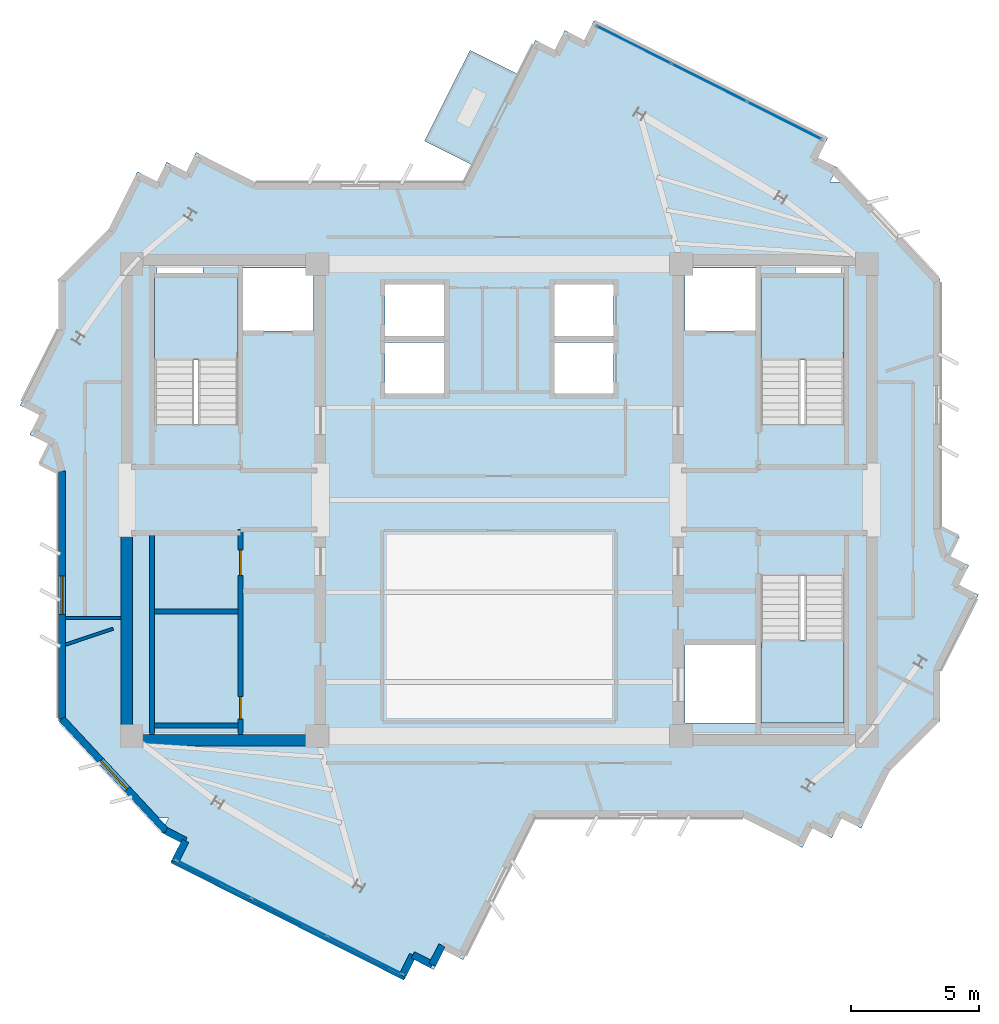
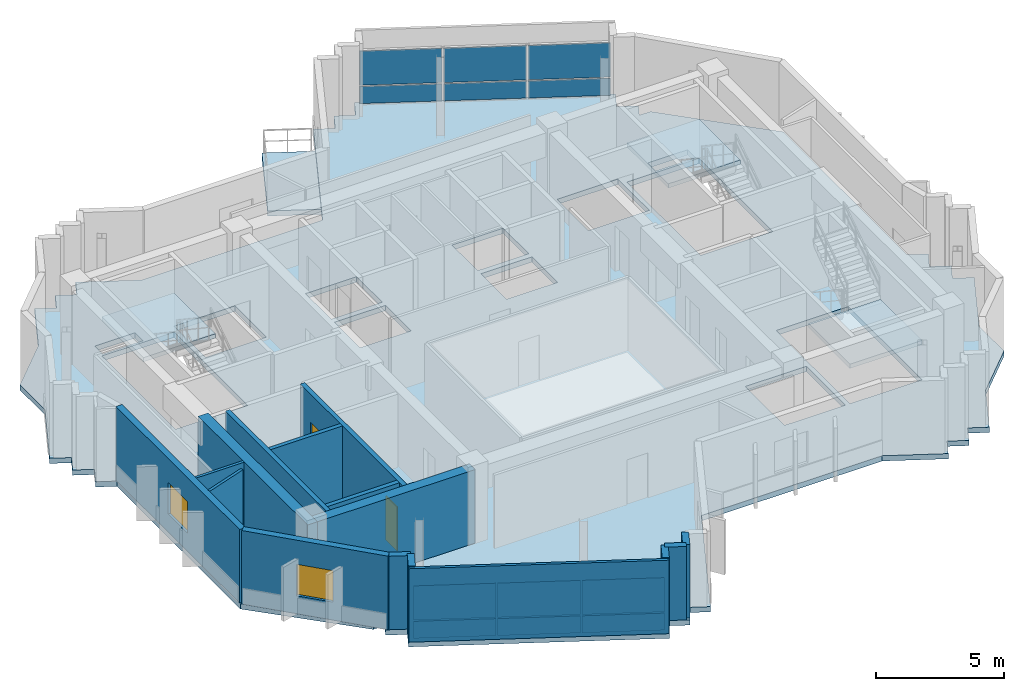
# One storey, part 5 of 11: 16 walls, 12 plates, 5 slabs, 2 doors, 2 windows, 4 openings, 5 elements without a shape of their own.
"""IFC4 building model written with IfcOpenShell, lengths in metres."""

import ifcopenshell
import ifcopenshell.guid

model = None  # the IFC model being written
_history = None  # IfcOwnerHistory: only IFC2X3 demands one
_inside = {}  # id of a spatial element -> (the spatial element, [elements in it])
_under = {}  # id of a project, library or spatial element -> (it, [spatial elements below it])
_declared = {}  # id of a project -> (the project, [libraries it declares])
_typed = {}  # id of a type object -> (the type object, [elements of that type])
_made_of = {}  # id of a material, layer set ... -> (it, [elements and type objects made of it])


def new_model(schema):
    """Start an empty IFC model of exactly this schema.

    Asked for "IFC4X3", IfcOpenShell would pick the latest addendum, in which some entities
    have other attributes; the version numbers below select the first issue.
    IFC2X3 requires an IfcOwnerHistory on every rooted entity: one is made here for all.
    """
    global model, _history
    if schema == "IFC4X3":
        model = ifcopenshell.file(schema_version=(4, 3, 0, 0))
    else:
        model = ifcopenshell.file(schema=schema)
    _inside.clear()
    _under.clear()
    _declared.clear()
    _typed.clear()
    _made_of.clear()
    _history = None
    if model.schema == "IFC2X3":
        org = make("IfcOrganization", Name="unknown")
        user = make(
            "IfcPersonAndOrganization",
            ThePerson=make("IfcPerson", FamilyName="unknown"),
            TheOrganization=org,
        )
        app = make(
            "IfcApplication",
            ApplicationDeveloper=org,
            Version="unknown",
            ApplicationFullName="unknown",
            ApplicationIdentifier="unknown",
        )
        _history = make(
            "IfcOwnerHistory",
            OwningUser=user,
            OwningApplication=app,
            ChangeAction="ADDED",
            CreationDate=0,
        )
    return model


def make(cls, **values):
    """One entity of the class cls with the attributes given. An attribute that is None is left unset."""
    return model.create_entity(
        cls, **{name: value for name, value in values.items() if value is not None}
    )


def rooted(cls, **values):
    """An entity with a GlobalId (a new one), such as an element, a storey or a relation."""
    return make(cls, GlobalId=ifcopenshell.guid.new(), OwnerHistory=_history, **values)


def si_unit(unit_type, name, prefix=None):
    """IfcSIUnit, for example si_unit("LENGTHUNIT", "METRE", prefix="MILLI")."""
    return make("IfcSIUnit", UnitType=unit_type, Prefix=prefix, Name=name)


def assignment(units):
    """IfcUnitAssignment: the units of a project."""
    return None if units is None else make("IfcUnitAssignment", Units=units)


def point(xyz):
    """IfcCartesianPoint."""
    return None if xyz is None else make("IfcCartesianPoint", Coordinates=xyz)


def direction(xyz):
    """IfcDirection."""
    return None if xyz is None else make("IfcDirection", DirectionRatios=xyz)


def frame(location, z_axis=None, x_axis=None):
    """IfcAxis2Placement3D, a coordinate frame: its origin and axes. An axis left out is left unset."""
    return make(
        "IfcAxis2Placement3D",
        Location=point(location),
        Axis=direction(z_axis),
        RefDirection=direction(x_axis),
    )


def frame_2d(location, x_axis=None):
    """IfcAxis2Placement2D, a coordinate frame in the plane: its origin and x axis."""
    return make(
        "IfcAxis2Placement2D", Location=point(location), RefDirection=direction(x_axis)
    )


def origin():
    """The frame at (0, 0, 0) with its axes left unset."""
    return frame((0.0, 0.0, 0.0))


def origin_2d():
    """The frame at (0, 0) in the plane with its x axis left unset."""
    return frame_2d((0.0, 0.0))


def place(relative_to, where):
    """IfcLocalPlacement: puts the frame where relative to a parent placement (None: the world)."""
    return make(
        "IfcLocalPlacement", PlacementRelTo=relative_to, RelativePlacement=where
    )


def context(
    kind, dimensions, precision=None, world=None, true_north=None, identifier=None
):
    """IfcGeometricRepresentationContext, for example the 3D "Model" context."""
    return make(
        "IfcGeometricRepresentationContext",
        ContextIdentifier=identifier,
        ContextType=kind,
        CoordinateSpaceDimension=dimensions,
        Precision=precision,
        WorldCoordinateSystem=world,
        TrueNorth=true_north,
    )


def subcontext(parent, identifier, kind, view, scale=None):
    """IfcGeometricRepresentationSubContext, for example "Body" below "Model"."""
    return make(
        "IfcGeometricRepresentationSubContext",
        ContextIdentifier=identifier,
        ContextType=kind,
        ParentContext=parent,
        TargetScale=scale,
        TargetView=view,
    )


def project(units=None, contexts=None):
    """IfcProject with its units and contexts."""
    return rooted(
        "IfcProject",
        Name="project",
        RepresentationContexts=contexts,
        UnitsInContext=assignment(units),
    )


def spatial(cls, under=None, at=None, **own):
    """A site, building, storey or space (cls), placed at a placement, below another one or the project."""
    s = rooted(cls, ObjectPlacement=at, **own)
    if under is not None:
        _under.setdefault(under.id(), (under, []))[1].append(s)
    return s


def polyline(points):
    """IfcPolyline through the points."""
    return make("IfcPolyline", Points=[point(p) for p in points])


def profile(cls, at=None, kind="AREA", **sizes):
    """A parametric profile (cls). Its sizes go by their IFC names, for example OverallWidth=200.0."""
    return make(cls, ProfileType=kind, Position=at, **sizes)


def rectangle(**sizes):
    """IfcRectangleProfileDef."""
    return profile("IfcRectangleProfileDef", **sizes)


def outline(outer, holes=None, kind="AREA"):
    """IfcArbitraryClosedProfileDef: a profile drawn as a closed curve; with holes, ...WithVoids."""
    if holes is None:
        return make("IfcArbitraryClosedProfileDef", ProfileType=kind, OuterCurve=outer)
    return make(
        "IfcArbitraryProfileDefWithVoids",
        ProfileType=kind,
        OuterCurve=outer,
        InnerCurves=holes,
    )


def extrude(swept, where, along, depth):
    """IfcExtrudedAreaSolid: the profile swept, set in the frame where, extruded along a direction by depth."""
    return make(
        "IfcExtrudedAreaSolid",
        SweptArea=swept,
        Position=where,
        ExtrudedDirection=direction(along),
        Depth=depth,
    )


def shape(context_of_items, identifier, shape_type, items):
    """IfcShapeRepresentation: the items that make up one representation, for example the "Body"."""
    return make(
        "IfcShapeRepresentation",
        ContextOfItems=context_of_items,
        RepresentationIdentifier=identifier,
        RepresentationType=shape_type,
        Items=items,
    )


def source(mapping_origin, context_of_items, identifier, shape_type, items):
    """IfcRepresentationMap: a shape defined once, which mapped items show again and again."""
    return make(
        "IfcRepresentationMap",
        MappingOrigin=mapping_origin,
        MappedRepresentation=shape(context_of_items, identifier, shape_type, items),
    )


def transform(
    local_origin,
    x_axis=None,
    y_axis=None,
    z_axis=None,
    scale=None,
    scale2=None,
    scale3=None,
    uniform=True,
):
    """IfcCartesianTransformationOperator3D, or its non-uniform kind. x_axis, y_axis, z_axis: its Axis1, 2, 3."""
    if uniform:
        return make(
            "IfcCartesianTransformationOperator3D",
            Axis1=direction(x_axis),
            Axis2=direction(y_axis),
            LocalOrigin=point(local_origin),
            Scale=scale,
            Axis3=direction(z_axis),
        )
    return make(
        "IfcCartesianTransformationOperator3DnonUniform",
        Axis1=direction(x_axis),
        Axis2=direction(y_axis),
        LocalOrigin=point(local_origin),
        Scale=scale,
        Axis3=direction(z_axis),
        Scale2=scale2,
        Scale3=scale3,
    )


def mapped(mapping_source, mapping_target):
    """IfcMappedItem: shows the shape of a source again, moved by a transform."""
    return make(
        "IfcMappedItem", MappingSource=mapping_source, MappingTarget=mapping_target
    )


def material(Name=None, Category=None):
    """IfcMaterial."""
    return make("IfcMaterial", Name=Name, Category=Category)


def layer(
    of_material, thickness, ventilated=None, Name=None, Category=None, Priority=None
):
    """IfcMaterialLayer: one layer of a wall or slab, of a material (None: an air gap)."""
    return make(
        "IfcMaterialLayer",
        Material=of_material,
        LayerThickness=thickness,
        IsVentilated=ventilated,
        Name=Name,
        Category=Category,
        Priority=Priority,
    )


def layer_set(layers, Name=None):
    """IfcMaterialLayerSet."""
    return make("IfcMaterialLayerSet", MaterialLayers=layers, LayerSetName=Name)


def made_of(thing, what):
    """Note that an element or type object is made of a material, layer set ...; save() writes the relation."""
    if what is not None:
        _made_of.setdefault(what.id(), (what, []))[1].append(thing)
    return thing


def type_object(cls, material=None, **own):
    """A type object (cls), such as IfcWallType, which elements share."""
    return made_of(rooted(cls, **own), material)


def element(
    cls,
    number,
    at=None,
    inside=None,
    cuts=None,
    type_object=None,
    material=None,
    context=None,
    identifier="Body",
    shape_type=None,
    held_by="IfcProductDefinitionShape",
    body=None,
    shapes=None,
    **own,
):
    """One element of the class cls, such as IfcWall. Its Tag is "e" and its number.

    at: its placement. inside: the storey or other place that contains it. cuts: it is an
    opening in that element (IfcRelVoidsElement). A single representation is given by context,
    identifier, shape_type and body (its items); several are given by shapes. held_by: the class
    of the entity that holds the representations. save() writes the other relations.
    """
    e = rooted(cls, Tag="e%d" % number, ObjectPlacement=at, **own)
    if body is not None:
        shapes = [shape(context, identifier, shape_type, body)]
    if shapes is not None:
        e.Representation = make(held_by, Representations=shapes)
    if inside is not None:
        _inside.setdefault(inside.id(), (inside, []))[1].append(e)
    if cuts is not None:
        rooted(
            "IfcRelVoidsElement", RelatingBuildingElement=cuts, RelatedOpeningElement=e
        )
    if type_object is not None:
        _typed.setdefault(type_object.id(), (type_object, []))[1].append(e)
    return made_of(e, material)


def fill(opening, filler):
    """IfcRelFillsElement: the door or window that sits in an opening."""
    return rooted(
        "IfcRelFillsElement",
        RelatingOpeningElement=opening,
        RelatedBuildingElement=filler,
    )


def aggregate(whole, parts):
    """IfcRelAggregates: a whole, such as a stair, and the parts it consists of."""
    return rooted("IfcRelAggregates", RelatingObject=whole, RelatedObjects=parts)


def save(model, path):
    """Write the relations noted so far, then the file.

    IfcRelAggregates (storeys below a building ...), IfcRelContainedInSpatialStructure (elements
    in a storey), IfcRelDefinesByType, IfcRelAssociatesMaterial and IfcRelDeclares: one each for
    every whole, place, type object, material and project.
    """
    for whole, parts in _under.values():
        aggregate(whole, parts)
    for where, things in _inside.values():
        rooted(
            "IfcRelContainedInSpatialStructure",
            RelatedElements=things,
            RelatingStructure=where,
        )
    for kind, things in _typed.values():
        rooted("IfcRelDefinesByType", RelatedObjects=things, RelatingType=kind)
    for what, things in _made_of.values():
        rooted("IfcRelAssociatesMaterial", RelatedObjects=things, RelatingMaterial=what)
    for by, libraries in _declared.values():
        rooted("IfcRelDeclares", RelatingContext=by, RelatedDefinitions=libraries)
    model.write(path)


model = new_model("IFC4")

# Units and contexts
model_context = context("Model", 3, precision=1e-05, world=origin(), true_north=direction((0.0, 1.0)))
body_context = subcontext(model_context, "Body", "Model", "MODEL_VIEW")
ifc_project = project(units=[si_unit("LENGTHUNIT", "METRE"), si_unit("AREAUNIT", "SQUARE_METRE"), si_unit("VOLUMEUNIT", "CUBIC_METRE"), si_unit("PLANEANGLEUNIT", "RADIAN"), si_unit("MASSUNIT", "GRAM", prefix="KILO")], contexts=[model_context])

# Site, building, storey
site_placement = place(None, origin())
site = spatial("IfcSite", under=ifc_project, at=site_placement, CompositionType="ELEMENT")
building_placement = place(site_placement, origin())
building = spatial("IfcBuilding", under=site, at=building_placement, Name="Zahravan Cultural Tower", CompositionType="ELEMENT")
storey_placement = place(building_placement, frame((0.0, 0.0, 353.550048828125)))
storey = spatial("IfcBuildingStorey", under=building, at=storey_placement, Name="L86", CompositionType="ELEMENT", Elevation=353.550048828125)

# Stair, slab
ifc_material_1 = material(Name="Concrete C45/55", Category="concrete")
stair_type = type_object("IfcStairType", Name="STR-DL-1550-375", PredefinedType="HALF_TURN_STAIR", material=ifc_material_1)
stair_1_placement = place(storey_placement, origin())
stair_1 = element("IfcStair", 1, at=stair_1_placement, inside=storey, type_object=stair_type, Name="L86 West Core North Exit Stair ST-W1", PredefinedType="HALF_TURN_STAIR")
ifc_layer_1 = layer(ifc_material_1, 0.199951171875)
ifc_layer_set_1 = layer_set([ifc_layer_1], Name="Concrete C45/55")
slab_type_1 = type_object("IfcSlabType", Name="SL-STAIR-LND200", PredefinedType="LANDING", material=ifc_layer_set_1)
slab_1_placement = place(storey_placement, frame((0.0, 0.0, 1.675048828125)))
slab_1 = element("IfcSlab", 2, at=slab_1_placement, type_object=slab_type_1, Name="ST-W1 landing 1", PredefinedType="LANDING", context=body_context, shape_type="SweptSolid", body=[
    extrude(outline(polyline([(25.800048828125, 32.469970703125), (25.800048828125, 35.699951171875), (22.550048828125, 35.699951171875), (22.550048828125, 32.469970703125), (25.800048828125, 32.469970703125)])), origin(), (0.0, 0.0, 1.0), 0.199951171875),
])
aggregate(stair_1, [slab_1])

stair_2_placement = place(storey_placement, origin())
stair_2 = element("IfcStair", 3, at=stair_2_placement, inside=storey, type_object=stair_type, Name="L86 East Core North Exit Stair ST-E1", PredefinedType="HALF_TURN_STAIR")
slab_2_placement = place(storey_placement, frame((0.0, 0.0, 1.675048828125)))
slab_2 = element("IfcSlab", 4, at=slab_2_placement, type_object=slab_type_1, Name="ST-E1 landing 1", PredefinedType="LANDING", context=body_context, shape_type="SweptSolid", body=[
    extrude(outline(polyline([(49.449951171875, 32.469970703125), (49.449951171875, 35.699951171875), (46.199951171875, 35.699951171875), (46.199951171875, 32.469970703125), (49.449951171875, 32.469970703125)])), origin(), (0.0, 0.0, 1.0), 0.199951171875),
])
aggregate(stair_2, [slab_2])

stair_3_placement = place(storey_placement, origin())
stair_3 = element("IfcStair", 5, at=stair_3_placement, inside=storey, type_object=stair_type, Name="L86 East Core South Exit Stair ST-E2", PredefinedType="HALF_TURN_STAIR")
slab_3_placement = place(storey_placement, frame((0.0, 0.0, 1.675048828125)))
slab_3 = element("IfcSlab", 6, at=slab_3_placement, type_object=slab_type_1, Name="ST-E2 landing 1", PredefinedType="LANDING", context=body_context, shape_type="SweptSolid", body=[
    extrude(outline(polyline([(46.199951171875, 21.530029296875), (46.199951171875, 18.300048828125), (49.449951171875, 18.300048828125), (49.449951171875, 21.530029296875), (46.199951171875, 21.530029296875)])), origin(), (0.0, 0.0, 1.0), 0.199951171875),
])
aggregate(stair_3, [slab_3])

# Slabs
ifc_material_2 = material(Name="Concrete C40/50", Category="concrete")
ifc_layer_2 = layer(ifc_material_2, 0.239990234375)
ifc_layer_set_2 = layer_set([ifc_layer_2], Name="Concrete C40/50")
slab_type_2 = type_object("IfcSlabType", Name="SL-TERR-240", PredefinedType="FLOOR", material=ifc_layer_set_2)
slab_4_placement = place(storey_placement, frame((0.0, 0.0, -0.239990234375)))
element("IfcSlab", 7, at=slab_4_placement, inside=storey, type_object=slab_type_2, Name="L86 Planted Sculpture Terrace NE", PredefinedType="FLOOR", context=body_context, shape_type="SweptSolid", body=[
    extrude(outline(polyline([(33.081298828125, 41.004638671875), (34.952880859375, 40.0634765625), (36.732421875, 43.601318359375), (34.860595703125, 44.54248046875), (33.081298828125, 41.004638671875)])), origin(), (0.0, 0.0, 1.0), 0.239990234375),
])
ifc_layer_3 = layer(ifc_material_2, 0.25)
ifc_layer_set_3 = layer_set([ifc_layer_3], Name="Concrete C40/50")
slab_type_3 = type_object("IfcSlabType", Name="SL-TYP-250", PredefinedType="FLOOR", material=ifc_layer_set_3)
slab_5_placement = place(storey_placement, frame((0.0, 0.0, -0.25)))
element("IfcSlab", 8, at=slab_5_placement, inside=storey, type_object=slab_type_3, Name="L86 Structural Floor Slab", PredefinedType="FLOOR", context=body_context, shape_type="SweptSolid", body=[
    extrude(outline(polyline([(34.625, 39.39990234375), (26.4794921875, 39.39990234375), (24.171875, 40.560546875), (23.789794921875, 39.80126953125), (23.030517578125, 40.18310546875), (22.648681640625, 39.423828125), (21.88916015625, 39.8056640625), (20.759521484375, 37.5595703125), (18.800048828125, 35.60009765625), (18.800048828125, 33.663330078125), (17.30615234375, 30.693359375), (18.0654296875, 30.311279296875), (17.68359375, 29.552001953125), (18.443115234375, 29.170166015625), (18.06103515625, 28.41064453125), (18.800048828125, 28.0390625), (18.800048828125, 18.39990234375), (22.60009765625, 14.60009765625), (23.103271484375, 14.60009765625), (22.81689453125, 14.030517578125), (23.576171875, 13.648681640625), (23.1943359375, 12.88916015625), (32.306640625, 8.30615234375), (32.688720703125, 9.0654296875), (33.447998046875, 8.68359375), (33.829833984375, 9.443115234375), (34.58935546875, 9.06103515625), (37.375, 14.60009765625), (45.5205078125, 14.60009765625), (47.828125, 13.439453125), (48.210205078125, 14.19873046875), (48.969482421875, 13.81689453125), (49.351318359375, 14.576171875), (50.11083984375, 14.1943359375), (51.240478515625, 16.4404296875), (53.199951171875, 18.39990234375), (53.199951171875, 20.336669921875), (54.69384765625, 23.306640625), (53.9345703125, 23.688720703125), (54.31640625, 24.447998046875), (53.556884765625, 24.829833984375), (53.93896484375, 25.58935546875), (53.199951171875, 25.9609375), (53.199951171875, 35.60009765625), (49.39990234375, 39.39990234375), (48.896728515625, 39.39990234375), (49.18310546875, 39.969482421875), (48.423828125, 40.351318359375), (48.8056640625, 41.11083984375), (39.693359375, 45.69384765625), (39.311279296875, 44.9345703125), (38.552001953125, 45.31640625), (38.170166015625, 44.556884765625), (37.41064453125, 44.93896484375), (34.625, 39.39990234375)]), holes=[polyline([(22.550048828125, 29.949951171875), (22.550048828125, 35.699951171875), (25.800048828125, 35.699951171875), (25.800048828125, 29.949951171875), (22.550048828125, 29.949951171875)]), polyline([(46.199951171875, 29.949951171875), (46.199951171875, 35.699951171875), (49.449951171875, 35.699951171875), (49.449951171875, 29.949951171875), (46.199951171875, 29.949951171875)]), polyline([(46.199951171875, 18.300048828125), (46.199951171875, 24.050048828125), (49.449951171875, 24.050048828125), (49.449951171875, 18.300048828125), (46.199951171875, 18.300048828125)]), polyline([(26.0, 33.60009765625), (26.0, 36.050048828125), (28.75, 36.050048828125), (28.75, 33.60009765625), (26.0, 33.60009765625)]), polyline([(43.25, 33.60009765625), (43.25, 36.050048828125), (46.0, 36.050048828125), (46.0, 33.60009765625), (43.25, 33.60009765625)]), polyline([(43.25, 18.300048828125), (43.25, 21.35009765625), (46.0, 21.35009765625), (46.0, 18.300048828125), (43.25, 18.300048828125)]), polyline([(31.550048828125, 33.39990234375), (31.550048828125, 35.39990234375), (33.85009765625, 35.39990234375), (33.85009765625, 33.39990234375), (31.550048828125, 33.39990234375)]), polyline([(31.550048828125, 31.14990234375), (31.550048828125, 33.14990234375), (33.85009765625, 33.14990234375), (33.85009765625, 31.14990234375), (31.550048828125, 31.14990234375)]), polyline([(38.14990234375, 33.39990234375), (38.14990234375, 35.39990234375), (40.449951171875, 35.39990234375), (40.449951171875, 33.39990234375), (38.14990234375, 33.39990234375)]), polyline([(38.14990234375, 31.14990234375), (38.14990234375, 33.14990234375), (40.449951171875, 33.14990234375), (40.449951171875, 31.14990234375), (38.14990234375, 31.14990234375)]), polyline([(22.64990234375, 35.800048828125), (22.64990234375, 36.419921875), (24.449951171875, 36.419921875), (24.449951171875, 35.800048828125), (22.64990234375, 35.800048828125)]), polyline([(47.550048828125, 35.800048828125), (47.550048828125, 36.419921875), (49.35009765625, 36.419921875), (49.35009765625, 35.800048828125), (47.550048828125, 35.800048828125)])]), origin(), (0.0, 0.0, 1.0), 0.25),
])

# Curtain wall, plates
ifc_material_3 = material(Name="Anodised bronze-aluminium mullion", Category="aluminium")
ifc_layer_4 = layer(ifc_material_3, 0.14990234375)
ifc_layer_set_4 = layer_set([ifc_layer_4], Name="Anodised bronze-aluminium mullion")
curtain_wall_type = type_object("IfcCurtainWallType", Name="CW-SYS-6", PredefinedType="USERDEFINED", material=ifc_layer_set_4)
curtain_wall_1_placement = place(storey_placement, origin())
curtain_wall_1 = element("IfcCurtainWall", 9, at=curtain_wall_1_placement, inside=storey, type_object=curtain_wall_type, Name="L86 Recessed Curtain Wall CW-6.1", ObjectType="OBSERVATORY LANTERN", PredefinedType="USERDEFINED")
ifc_material_4 = material(Name="Low-E solar-control double glazing", Category="glass")
ifc_layer_5 = layer(ifc_material_4, 0.033935546875)
ifc_layer_set_5 = layer_set([ifc_layer_5], Name="Low-E solar-control double glazing")
plate_type = type_object("IfcPlateType", Name="CWP-CW-6", PredefinedType="CURTAIN_PANEL", material=ifc_layer_set_5)
shared_shape_1 = source(origin(), body_context, "Body", "SweptSolid", [
    extrude(rectangle(XDim=3.216552734375, YDim=0.033935546875, at=origin_2d()), origin(), (0.0, 0.0, 1.0), 0.81005859375),
])
plate_1_placement = place(storey_placement, frame((41.245849609375, 44.756103515625, 0.059814453125), z_axis=(0.0, 0.0, 1.0), x_axis=(0.893372288669, -0.449317208482, 0.0)))
plate_1 = element("IfcPlate", 10, at=plate_1_placement, type_object=plate_type, Name="CW-6 panel 1.1", PredefinedType="CURTAIN_PANEL", context=body_context, shape_type="MappedRepresentation", body=[
    mapped(shared_shape_1, transform((0.0, 0.0, 0.0), x_axis=(1.0, 0.0, 0.0), y_axis=(0.0, 1.0, 0.0), z_axis=(0.0, 0.0, 1.0), scale=1.0)),
])
plate_2_placement = place(storey_placement, frame((47.127197265625, 41.798095703125, 0.059814453125), z_axis=(0.0, 0.0, 1.0), x_axis=(0.893372288669, -0.449317208482, 0.0)))
plate_2 = element("IfcPlate", 11, at=plate_2_placement, type_object=plate_type, Name="CW-6 panel 3.1", PredefinedType="CURTAIN_PANEL", context=body_context, shape_type="MappedRepresentation", body=[
    mapped(shared_shape_1, transform((0.0, 0.0, 0.0), x_axis=(1.0, 0.0, 0.0), y_axis=(0.0, 1.0, 0.0), z_axis=(0.0, 0.0, 1.0), scale=1.0)),
])

curtain_wall_2_placement = place(storey_placement, origin())
curtain_wall_2 = element("IfcCurtainWall", 12, at=curtain_wall_2_placement, inside=storey, type_object=curtain_wall_type, Name="L86 Recessed Curtain Wall CW-6.2", ObjectType="OBSERVATORY LANTERN", PredefinedType="USERDEFINED")
plate_3_placement = place(storey_placement, frame((30.754150390625, 9.243896484375, 0.059814453125), z_axis=(0.0, 0.0, 1.0), x_axis=(-0.893372288669, 0.449317208482, 0.0)))
plate_3 = element("IfcPlate", 13, at=plate_3_placement, type_object=plate_type, Name="CW-6 panel 1.1", PredefinedType="CURTAIN_PANEL", context=body_context, shape_type="MappedRepresentation", body=[
    mapped(shared_shape_1, transform((0.0, 0.0, 0.0), x_axis=(1.0, 0.0, 0.0), y_axis=(0.0, 1.0, 0.0), z_axis=(0.0, 0.0, 1.0), scale=1.0)),
])
plate_4_placement = place(storey_placement, frame((24.872802734375, 12.201904296875, 0.059814453125), z_axis=(0.0, 0.0, 1.0), x_axis=(-0.893372288669, 0.449317208482, 0.0)))
plate_4 = element("IfcPlate", 14, at=plate_4_placement, type_object=plate_type, Name="CW-6 panel 3.1", PredefinedType="CURTAIN_PANEL", context=body_context, shape_type="MappedRepresentation", body=[
    mapped(shared_shape_1, transform((0.0, 0.0, 0.0), x_axis=(1.0, 0.0, 0.0), y_axis=(0.0, 1.0, 0.0), z_axis=(0.0, 0.0, 1.0), scale=1.0)),
])

# Plate
shared_shape_2 = source(origin(), body_context, "Body", "SweptSolid", [
    extrude(rectangle(XDim=3.216552734375, YDim=0.033935546875, at=origin_2d()), origin(), (0.0, 0.0, 1.0), 1.6298828125),
])
plate_5_placement = place(storey_placement, frame((41.245849609375, 44.756103515625, 0.929931640625), z_axis=(0.0, 0.0, 1.0), x_axis=(0.893372288669, -0.449317208482, 0.0)))
plate_5 = element("IfcPlate", 15, at=plate_5_placement, type_object=plate_type, Name="CW-6 panel 1.2", PredefinedType="CURTAIN_PANEL", context=body_context, shape_type="MappedRepresentation", body=[
    mapped(shared_shape_2, transform((0.0, 0.0, 0.0), x_axis=(1.0, 0.0, 0.0), y_axis=(0.0, 1.0, 0.0), z_axis=(0.0, 0.0, 1.0), scale=1.0)),
])

plate_6_placement = place(storey_placement, frame((47.127197265625, 41.798095703125, 0.929931640625), z_axis=(0.0, 0.0, 1.0), x_axis=(0.893372288669, -0.449317208482, 0.0)))
plate_6 = element("IfcPlate", 16, at=plate_6_placement, type_object=plate_type, Name="CW-6 panel 3.2", PredefinedType="CURTAIN_PANEL", context=body_context, shape_type="MappedRepresentation", body=[
    mapped(shared_shape_2, transform((0.0, 0.0, 0.0), x_axis=(1.0, 0.0, 0.0), y_axis=(0.0, 1.0, 0.0), z_axis=(0.0, 0.0, 1.0), scale=1.0)),
])

plate_7_placement = place(storey_placement, frame((30.754150390625, 9.243896484375, 0.929931640625), z_axis=(0.0, 0.0, 1.0), x_axis=(-0.893372288669, 0.449317208482, 0.0)))
plate_7 = element("IfcPlate", 17, at=plate_7_placement, type_object=plate_type, Name="CW-6 panel 1.2", PredefinedType="CURTAIN_PANEL", context=body_context, shape_type="MappedRepresentation", body=[
    mapped(shared_shape_2, transform((0.0, 0.0, 0.0), x_axis=(1.0, 0.0, 0.0), y_axis=(0.0, 1.0, 0.0), z_axis=(0.0, 0.0, 1.0), scale=1.0)),
])

plate_8_placement = place(storey_placement, frame((24.872802734375, 12.201904296875, 0.929931640625), z_axis=(0.0, 0.0, 1.0), x_axis=(-0.893372288669, 0.449317208482, 0.0)))
plate_8 = element("IfcPlate", 18, at=plate_8_placement, type_object=plate_type, Name="CW-6 panel 3.2", PredefinedType="CURTAIN_PANEL", context=body_context, shape_type="MappedRepresentation", body=[
    mapped(shared_shape_2, transform((0.0, 0.0, 0.0), x_axis=(1.0, 0.0, 0.0), y_axis=(0.0, 1.0, 0.0), z_axis=(0.0, 0.0, 1.0), scale=1.0)),
])

shared_shape_3 = source(origin(), body_context, "Body", "SweptSolid", [
    extrude(rectangle(XDim=3.24658203125, YDim=0.033935546875, at=origin_2d()), origin(), (0.0, 0.0, 1.0), 0.81005859375),
])
plate_9_placement = place(storey_placement, frame((44.1865234375, 43.277099609375, 0.059814453125), z_axis=(0.0, 0.0, 1.0), x_axis=(0.893372288669, -0.449317208482, 0.0)))
plate_9 = element("IfcPlate", 19, at=plate_9_placement, type_object=plate_type, Name="CW-6 panel 2.1", PredefinedType="CURTAIN_PANEL", context=body_context, shape_type="MappedRepresentation", body=[
    mapped(shared_shape_3, transform((0.0, 0.0, 0.0), x_axis=(1.0, 0.0, 0.0), y_axis=(0.0, 1.0, 0.0), z_axis=(0.0, 0.0, 1.0), scale=1.0)),
])

plate_10_placement = place(storey_placement, frame((27.8134765625, 10.722900390625, 0.059814453125), z_axis=(0.0, 0.0, 1.0), x_axis=(-0.893372288669, 0.449317208482, 0.0)))
plate_10 = element("IfcPlate", 20, at=plate_10_placement, type_object=plate_type, Name="CW-6 panel 2.1", PredefinedType="CURTAIN_PANEL", context=body_context, shape_type="MappedRepresentation", body=[
    mapped(shared_shape_3, transform((0.0, 0.0, 0.0), x_axis=(1.0, 0.0, 0.0), y_axis=(0.0, 1.0, 0.0), z_axis=(0.0, 0.0, 1.0), scale=1.0)),
])

shared_shape_4 = source(origin(), body_context, "Body", "SweptSolid", [
    extrude(rectangle(XDim=3.24658203125, YDim=0.033935546875, at=origin_2d()), origin(), (0.0, 0.0, 1.0), 1.6298828125),
])
plate_11_placement = place(storey_placement, frame((44.1865234375, 43.277099609375, 0.929931640625), z_axis=(0.0, 0.0, 1.0), x_axis=(0.893372288669, -0.449317208482, 0.0)))
plate_11 = element("IfcPlate", 21, at=plate_11_placement, type_object=plate_type, Name="CW-6 panel 2.2", PredefinedType="CURTAIN_PANEL", context=body_context, shape_type="MappedRepresentation", body=[
    mapped(shared_shape_4, transform((0.0, 0.0, 0.0), x_axis=(1.0, 0.0, 0.0), y_axis=(0.0, 1.0, 0.0), z_axis=(0.0, 0.0, 1.0), scale=1.0)),
])

aggregate(curtain_wall_1, [plate_1, plate_5, plate_9, plate_11, plate_2, plate_6])

plate_12_placement = place(storey_placement, frame((27.8134765625, 10.722900390625, 0.929931640625), z_axis=(0.0, 0.0, 1.0), x_axis=(-0.893372288669, 0.449317208482, 0.0)))
plate_12 = element("IfcPlate", 22, at=plate_12_placement, type_object=plate_type, Name="CW-6 panel 2.2", PredefinedType="CURTAIN_PANEL", context=body_context, shape_type="MappedRepresentation", body=[
    mapped(shared_shape_4, transform((0.0, 0.0, 0.0), x_axis=(1.0, 0.0, 0.0), y_axis=(0.0, 1.0, 0.0), z_axis=(0.0, 0.0, 1.0), scale=1.0)),
])

aggregate(curtain_wall_2, [plate_3, plate_7, plate_10, plate_12, plate_4, plate_8])

# Wall, opening, window
ifc_material_5 = material(Name="Precast concrete C40/50", Category="concrete")
ifc_layer_6 = layer(ifc_material_5, 0.280029296875)
ifc_layer_set_6 = layer_set([ifc_layer_6], Name="Precast concrete C40/50")
wall_type_1 = type_object("IfcWallType", Name="EW-TC-280", PredefinedType="SOLIDWALL", material=ifc_layer_set_6)
wall_1_placement = place(storey_placement, frame((23.0048828125, 14.0927734375, 0.0), z_axis=(0.0, 0.0, 1.0), x_axis=(-0.681486568047, 0.731830620821, 0.0)))
wall_1 = element("IfcWall", 23, at=wall_1_placement, inside=storey, type_object=wall_type_1, Name="L86 Exterior Masonry Frame Wall 31", PredefinedType="SOLIDWALL", context=body_context, shape_type="SweptSolid", body=[
    extrude(rectangle(XDim=5.96484375, YDim=0.280029296875, at=frame_2d((2.982421875, 0.0))), origin(), (0.0, 0.0, 1.0), 3.5),
])
opening_1_placement = place(wall_1_placement, frame((2.23193359375, 0.0, 0.85009765625)))
opening_1 = element("IfcOpeningElement", 24, at=opening_1_placement, cuts=wall_1, Name="Opening WN-03", PredefinedType="OPENING", context=body_context, shape_type="SweptSolid", body=[
    extrude(rectangle(XDim=1.5, YDim=1.5, at=frame_2d((0.75, 0.75))), frame((0.0, 0.14990234375, 0.0), z_axis=(0.0, -1.0, 0.0), x_axis=(1.0, 0.0, 0.0)), (0.0, 0.0, 1.0), 0.300048828125),
])
window_type = type_object("IfcWindowType", Name="WN-REC-1500X1500", PartitioningType="SINGLE_PANEL", PredefinedType="WINDOW", material=ifc_material_4)
shared_shape_5 = source(origin(), body_context, "Body", "SweptSolid", [
    extrude(rectangle(XDim=1.5, YDim=1.5, at=frame_2d((0.75, 0.75))), frame((0.0, 0.030029296875, 0.0), z_axis=(0.0, -1.0, 0.0), x_axis=(1.0, 0.0, 0.0)), (0.0, 0.0, 1.0), 0.06005859375),
])
window_1_placement = place(opening_1_placement, origin())
window_1 = element("IfcWindow", 25, at=window_1_placement, inside=storey, type_object=window_type, Name="L86 Recessed Solar Window 05", OverallHeight=1.5, OverallWidth=1.5, PartitioningType="SINGLE_PANEL", PredefinedType="WINDOW", context=body_context, shape_type="MappedRepresentation", body=[
    mapped(shared_shape_5, transform((0.0, 0.0, 0.0), x_axis=(1.0, 0.0, 0.0), y_axis=(0.0, 1.0, 0.0), z_axis=(0.0, 0.0, 1.0), scale=1.0)),
])
fill(opening_1, window_1)

wall_2_placement = place(storey_placement, frame((18.93994140625, 18.4580078125, 0.0), z_axis=(0.0, 0.0, 1.0), x_axis=(0.0, 1.0, 0.0)))
wall_2 = element("IfcWall", 26, at=wall_2_placement, inside=storey, type_object=wall_type_1, Name="L86 Exterior Masonry Frame Wall 32", PredefinedType="SOLIDWALL", context=body_context, shape_type="SweptSolid", body=[
    extrude(rectangle(XDim=9.66748046875, YDim=0.280029296875, at=frame_2d((4.833740234375, 0.0))), origin(), (0.0, 0.0, 1.0), 3.5),
])
opening_2_placement = place(wall_2_placement, frame((4.083984375, 0.0, 0.85009765625)))
opening_2 = element("IfcOpeningElement", 27, at=opening_2_placement, cuts=wall_2, Name="Opening WN-03", PredefinedType="OPENING", context=body_context, shape_type="SweptSolid", body=[
    extrude(rectangle(XDim=1.5, YDim=1.5, at=frame_2d((0.75, 0.75))), frame((0.0, 0.14990234375, 0.0), z_axis=(0.0, -1.0, 0.0), x_axis=(1.0, 0.0, 0.0)), (0.0, 0.0, 1.0), 0.300048828125),
])
window_2_placement = place(opening_2_placement, origin())
window_2 = element("IfcWindow", 28, at=window_2_placement, inside=storey, type_object=window_type, Name="L86 Recessed Solar Window 06", OverallHeight=1.5, OverallWidth=1.5, PartitioningType="SINGLE_PANEL", PredefinedType="WINDOW", context=body_context, shape_type="MappedRepresentation", body=[
    mapped(shared_shape_5, transform((0.0, 0.0, 0.0), x_axis=(1.0, 0.0, 0.0), y_axis=(0.0, 1.0, 0.0), z_axis=(0.0, 0.0, 1.0), scale=1.0)),
])
fill(opening_2, window_2)

# Wall, openings, doors
ifc_layer_7 = layer(ifc_material_1, 0.199951171875)
ifc_layer_set_7 = layer_set([ifc_layer_7], Name="Concrete C45/55")
wall_type_2 = type_object("IfcWallType", Name="W-SHAFT-200", PredefinedType="SOLIDWALL", material=ifc_layer_set_7)
wall_3_placement = place(storey_placement, frame((25.89990234375, 17.85009765625, 0.0), z_axis=(0.0, 0.0, 1.0), x_axis=(0.0, 1.0, 0.0)))
wall_3 = element("IfcWall", 29, at=wall_3_placement, inside=storey, type_object=wall_type_2, Name="L86 Interior Wall 005", PredefinedType="SOLIDWALL", context=body_context, shape_type="SweptSolid", body=[
    extrude(rectangle(XDim=8.0, YDim=0.199951171875, at=frame_2d((4.0, 0.0))), origin(), (0.0, 0.0, 1.0), 3.5),
])
opening_3_placement = place(wall_3_placement, frame((6.199951171875, 0.0, 0.0)))
opening_3 = element("IfcOpeningElement", 30, at=opening_3_placement, cuts=wall_3, Name="Opening D-L86-04", PredefinedType="OPENING", context=body_context, shape_type="SweptSolid", body=[
    extrude(rectangle(XDim=1.0, YDim=2.14990234375, at=frame_2d((0.5, 1.074951171875))), frame((0.0, 0.10986328125, 0.0), z_axis=(0.0, -1.0, 0.0), x_axis=(1.0, 0.0, 0.0)), (0.0, 0.0, 1.0), 0.219970703125),
])
opening_4_placement = place(wall_3_placement, frame((0.60009765625, 0.0, 0.0)))
opening_4 = element("IfcOpeningElement", 31, at=opening_4_placement, cuts=wall_3, Name="Opening D-L86-05", PredefinedType="OPENING", context=body_context, shape_type="SweptSolid", body=[
    extrude(rectangle(XDim=0.8798828125, YDim=2.10009765625, at=frame_2d((0.43994140625, 1.050048828125))), frame((0.0, 0.10986328125, 0.0), z_axis=(0.0, -1.0, 0.0), x_axis=(1.0, 0.0, 0.0)), (0.0, 0.0, 1.0), 0.219970703125),
])
ifc_material_6 = material(Name="Steel ASTM A572 Grade 50", Category="steel")
door_type_1 = type_object("IfcDoorType", Name="DR-SVC-880", OperationType="NOTDEFINED", PredefinedType="DOOR", material=ifc_material_6)
shared_shape_6 = source(origin(), body_context, "Body", "SweptSolid", [
    extrude(rectangle(XDim=0.8798828125, YDim=2.10009765625, at=frame_2d((0.43994140625, 1.050048828125))), frame((0.0, 0.02490234375, 0.0), z_axis=(0.0, -1.0, 0.0), x_axis=(1.0, 0.0, 0.0)), (0.0, 0.0, 1.0), 0.050048828125),
])
door_1_placement = place(opening_4_placement, origin())
door_1 = element("IfcDoor", 32, at=door_1_placement, inside=storey, type_object=door_type_1, Name="L86 Door D-L86-05", OperationType="SINGLE_SWING_LEFT", OverallHeight=2.10009765625, OverallWidth=0.8798828125, PredefinedType="DOOR", context=body_context, shape_type="MappedRepresentation", body=[
    mapped(shared_shape_6, transform((0.0, 0.0, 0.0), x_axis=(1.0, 0.0, 0.0), y_axis=(0.0, 1.0, 0.0), z_axis=(0.0, 0.0, 1.0), scale=1.0)),
])
fill(opening_4, door_1)
door_type_2 = type_object("IfcDoorType", Name="DR-COMP-1000", OperationType="NOTDEFINED", PredefinedType="DOOR", material=ifc_material_6)
shared_shape_7 = source(origin(), body_context, "Body", "SweptSolid", [
    extrude(rectangle(XDim=1.0, YDim=2.14990234375, at=frame_2d((0.5, 1.074951171875))), frame((0.0, 0.02490234375, 0.0), z_axis=(0.0, -1.0, 0.0), x_axis=(1.0, 0.0, 0.0)), (0.0, 0.0, 1.0), 0.050048828125),
])
door_2_placement = place(opening_3_placement, origin())
door_2 = element("IfcDoor", 33, at=door_2_placement, inside=storey, type_object=door_type_2, Name="L86 Door D-L86-04", OperationType="SINGLE_SWING_RIGHT", OverallHeight=2.14990234375, OverallWidth=1.0, PredefinedType="DOOR", context=body_context, shape_type="MappedRepresentation", body=[
    mapped(shared_shape_7, transform((0.0, 0.0, 0.0), x_axis=(1.0, 0.0, 0.0), y_axis=(0.0, 1.0, 0.0), z_axis=(0.0, 0.0, 1.0), scale=1.0)),
])
fill(opening_3, door_2)

# Walls
ifc_material_7 = material(Name="Concrete C50/60", Category="concrete")
ifc_layer_8 = layer(ifc_material_7, 0.449951171875)
ifc_layer_set_8 = layer_set([ifc_layer_8], Name="Concrete C50/60")
wall_type_3 = type_object("IfcWallType", Name="CW-SHEAR-450-C50", PredefinedType="SHEAR", material=ifc_layer_set_8)
shared_shape_8 = source(origin(), body_context, "Body", "SweptSolid", [
    extrude(rectangle(XDim=8.550048828125, YDim=0.449951171875, at=frame_2d((4.27490234375, 0.0))), origin(), (0.0, 0.0, 1.0), 3.5),
])
wall_4_placement = place(storey_placement, frame((21.47509765625, 17.39990234375, 0.0), z_axis=(0.0, 0.0, 1.0), x_axis=(0.0, 1.0, 0.0)))
element("IfcWall", 34, at=wall_4_placement, inside=storey, type_object=wall_type_3, Name="L86 Core Shear Wall CW-W-WS-L86", PredefinedType="SHEAR", context=body_context, shape_type="MappedRepresentation", body=[
    mapped(shared_shape_8, transform((0.0, 0.0, 0.0), x_axis=(1.0, 0.0, 0.0), y_axis=(0.0, 1.0, 0.0), z_axis=(0.0, 0.0, 1.0), scale=1.0)),
])
shared_shape_9 = source(origin(), body_context, "Body", "SweptSolid", [
    extrude(rectangle(XDim=7.10009765625, YDim=0.449951171875, at=frame_2d((3.550048828125, 0.0))), origin(), (0.0, 0.0, 1.0), 3.5),
])
wall_5_placement = place(storey_placement, frame((21.699951171875, 17.625, 0.0), z_axis=(0.0, 0.0, 1.0), x_axis=(1.0, 0.0, 0.0)))
element("IfcWall", 35, at=wall_5_placement, inside=storey, type_object=wall_type_3, Name="L86 Core Shear Wall CW-W-S-L86", PredefinedType="SHEAR", context=body_context, shape_type="MappedRepresentation", body=[
    mapped(shared_shape_9, transform((0.0, 0.0, 0.0), x_axis=(1.0, 0.0, 0.0), y_axis=(0.0, 1.0, 0.0), z_axis=(0.0, 0.0, 1.0), scale=1.0)),
])
shared_shape_10 = source(origin(), body_context, "Body", "SweptSolid", [
    extrude(rectangle(XDim=0.85009765625, YDim=0.280029296875, at=frame_2d((0.425048828125, 0.0))), origin(), (0.0, 0.0, 1.0), 3.5),
])
for number, where, z_axis, x_axis, name in (
    (36, (33.767578125, 9.631103515625, 0.0), (0.0, 0.0, 1.0), (-0.449165422653, -0.893448612452, 0.0), "L86 Exterior Masonry Frame Wall 26"),
    (37, (32.62646484375, 9.25341796875, 0.0), (0.0, 0.0, 1.0), (-0.449509934066, -0.893275332233, 0.0), "L86 Exterior Masonry Frame Wall 28"),
    (38, (23.76416015625, 13.710693359375, 0.0), (0.0, 0.0, 1.0), (-0.893275332233, 0.449509934066, 0.0), "L86 Exterior Masonry Frame Wall 30"),
):
    element("IfcWall", number, at=place(storey_placement, frame(where, z_axis=z_axis, x_axis=x_axis)), inside=storey, type_object=wall_type_1, Name=name, PredefinedType="SOLIDWALL", context=body_context, shape_type="MappedRepresentation", body=[
        mapped(shared_shape_10, transform((0.0, 0.0, 0.0), x_axis=(1.0, 0.0, 0.0), y_axis=(0.0, 1.0, 0.0), z_axis=(0.0, 0.0, 1.0), scale=1.0)),
    ])
shared_shape_11 = source(origin(), body_context, "Body", "SweptSolid", [
    extrude(rectangle(XDim=0.849853515625, YDim=0.280029296875, at=frame_2d((0.4248046875, 0.0))), origin(), (0.0, 0.0, 1.0), 3.5),
])
for number, where, z_axis, x_axis, name in (
    (39, (33.3857421875, 8.87158203125, 0.0), (0.0, 0.0, 1.0), (-0.89339064965, 0.449280699695, 0.0), "L86 Exterior Masonry Frame Wall 27"),
    (40, (23.38232421875, 12.951416015625, 0.0), (0.0, 0.0, 1.0), (0.449280699695, 0.89339064965, 0.0), "L86 Exterior Masonry Frame Wall 29"),
):
    element("IfcWall", number, at=place(storey_placement, frame(where, z_axis=z_axis, x_axis=x_axis)), inside=storey, type_object=wall_type_1, Name=name, PredefinedType="SOLIDWALL", context=body_context, shape_type="MappedRepresentation", body=[
        mapped(shared_shape_11, transform((0.0, 0.0, 0.0), x_axis=(1.0, 0.0, 0.0), y_axis=(0.0, 1.0, 0.0), z_axis=(0.0, 0.0, 1.0), scale=1.0)),
    ])
shared_shape_12 = source(origin(), body_context, "Body", "SweptSolid", [
    extrude(rectangle(XDim=7.869873046875, YDim=0.199951171875, at=frame_2d((3.93505859375, 0.0))), origin(), (0.0, 0.0, 1.0), 3.5),
])
wall_6_placement = place(storey_placement, frame((22.449951171875, 17.85009765625, 0.0), z_axis=(0.0, 0.0, 1.0), x_axis=(0.0, 1.0, 0.0)))
element("IfcWall", 41, at=wall_6_placement, inside=storey, type_object=wall_type_2, Name="L86 Interior Wall 001", PredefinedType="SOLIDWALL", context=body_context, shape_type="MappedRepresentation", body=[
    mapped(shared_shape_12, transform((0.0, 0.0, 0.0), x_axis=(1.0, 0.0, 0.0), y_axis=(0.0, 1.0, 0.0), z_axis=(0.0, 0.0, 1.0), scale=1.0)),
])
shared_shape_13 = source(origin(), body_context, "Body", "SweptSolid", [
    extrude(rectangle(XDim=3.25, YDim=0.199951171875, at=frame_2d((1.625, 0.0))), origin(), (0.0, 0.0, 1.0), 3.5),
])
wall_7_placement = place(storey_placement, frame((22.550048828125, 18.199951171875, 0.0), z_axis=(0.0, 0.0, 1.0), x_axis=(1.0, 0.0, 0.0)))
element("IfcWall", 42, at=wall_7_placement, inside=storey, type_object=wall_type_2, Name="L86 Interior Wall 019", PredefinedType="SOLIDWALL", context=body_context, shape_type="MappedRepresentation", body=[
    mapped(shared_shape_13, transform((0.0, 0.0, 0.0), x_axis=(1.0, 0.0, 0.0), y_axis=(0.0, 1.0, 0.0), z_axis=(0.0, 0.0, 1.0), scale=1.0)),
])
ifc_material_8 = material(Name="Gypsum plasterboard partition")
ifc_layer_9 = layer(ifc_material_8, 0.179931640625)
ifc_layer_set_9 = layer_set([ifc_layer_9], Name="Gypsum plasterboard partition")
wall_type_4 = type_object("IfcWallType", Name="W-COMP-180", PredefinedType="PARTITIONING", material=ifc_layer_set_9)
shared_shape_14 = source(origin(), body_context, "Body", "SweptSolid", [
    extrude(rectangle(XDim=3.25, YDim=0.179931640625, at=frame_2d((1.625, 0.0))), origin(), (0.0, 0.0, 1.0), 3.5),
])
wall_8_placement = place(storey_placement, frame((22.550048828125, 22.64990234375, 0.0), z_axis=(0.0, 0.0, 1.0), x_axis=(1.0, 0.0, 0.0)))
element("IfcWall", 43, at=wall_8_placement, inside=storey, type_object=wall_type_4, Name="L86 Interior Wall 021", PredefinedType="PARTITIONING", context=body_context, shape_type="MappedRepresentation", body=[
    mapped(shared_shape_14, transform((0.0, 0.0, 0.0), x_axis=(1.0, 0.0, 0.0), y_axis=(0.0, 1.0, 0.0), z_axis=(0.0, 0.0, 1.0), scale=1.0)),
])
ifc_layer_10 = layer(ifc_material_8, 0.125)
ifc_layer_set_10 = layer_set([ifc_layer_10], Name="Gypsum plasterboard partition")
wall_type_5 = type_object("IfcWallType", Name="W-PART-125", PredefinedType="PARTITIONING", material=ifc_layer_set_10)
shared_shape_15 = source(origin(), body_context, "Body", "SweptSolid", [
    extrude(rectangle(XDim=2.1650390625, YDim=0.125, at=frame_2d((1.08251953125, 0.0))), origin(), (0.0, 0.0, 1.0), 3.5),
])
wall_9_placement = place(storey_placement, frame((19.080078125, 22.401611328125, 0.0), z_axis=(0.0, 0.0, 1.0), x_axis=(0.999999688459, -0.000789354738, 0.0)))
element("IfcWall", 44, at=wall_9_placement, inside=storey, type_object=wall_type_5, Name="L86 Interior Wall 061", PredefinedType="PARTITIONING", context=body_context, shape_type="MappedRepresentation", body=[
    mapped(shared_shape_15, transform((0.0, 0.0, 0.0), x_axis=(1.0, 0.0, 0.0), y_axis=(0.0, 1.0, 0.0), z_axis=(0.0, 0.0, 1.0), scale=1.0)),
])
shared_shape_16 = source(origin(), body_context, "Body", "SweptSolid", [
    extrude(rectangle(XDim=1.953857421875, YDim=0.125, at=frame_2d((0.97705078125, 0.0))), origin(), (0.0, 0.0, 1.0), 3.5),
])
wall_10_placement = place(storey_placement, frame((20.937255859375, 21.980224609375, 0.0), z_axis=(0.0, 0.0, 1.0), x_axis=(-0.947968697334, -0.318363548281, 0.0)))
element("IfcWall", 45, at=wall_10_placement, inside=storey, type_object=wall_type_5, Name="L86 Interior Wall 062", PredefinedType="PARTITIONING", context=body_context, shape_type="MappedRepresentation", body=[
    mapped(shared_shape_16, transform((0.0, 0.0, 0.0), x_axis=(1.0, 0.0, 0.0), y_axis=(0.0, 1.0, 0.0), z_axis=(0.0, 0.0, 1.0), scale=1.0)),
])
shared_shape_17 = source(origin(), body_context, "Body", "SweptSolid", [
    extrude(rectangle(XDim=10.16015625, YDim=0.125, at=frame_2d((5.080078125, 0.0))), origin(), (0.0, 0.0, 1.0), 3.5),
])
wall_11_placement = place(storey_placement, frame((32.2978515625, 8.3330078125, 0.0), z_axis=(0.0, 0.0, 1.0), x_axis=(-0.893367394955, 0.449326938465, 0.0)))
element("IfcWall", 46, at=wall_11_placement, inside=storey, type_object=wall_type_5, Name="L86 Interior Wall 074", PredefinedType="PARTITIONING", context=body_context, shape_type="MappedRepresentation", body=[
    mapped(shared_shape_17, transform((0.0, 0.0, 0.0), x_axis=(1.0, 0.0, 0.0), y_axis=(0.0, 1.0, 0.0), z_axis=(0.0, 0.0, 1.0), scale=1.0)),
])

save(model, "model.ifc")
